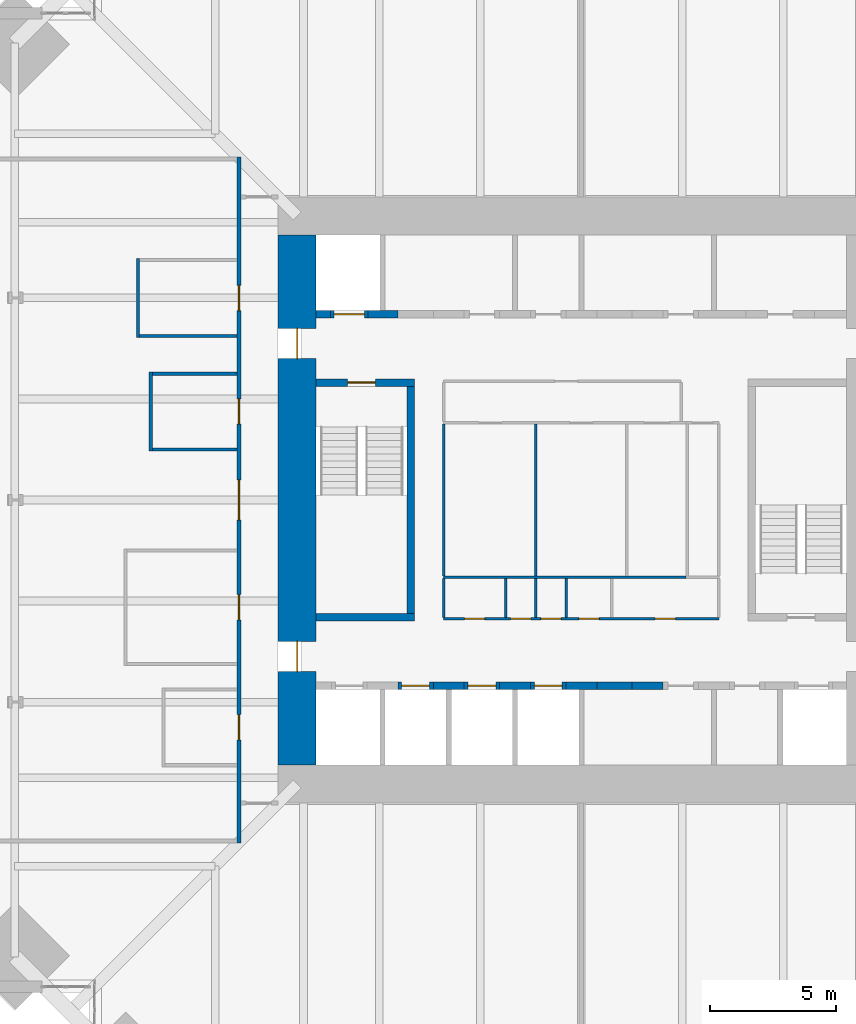
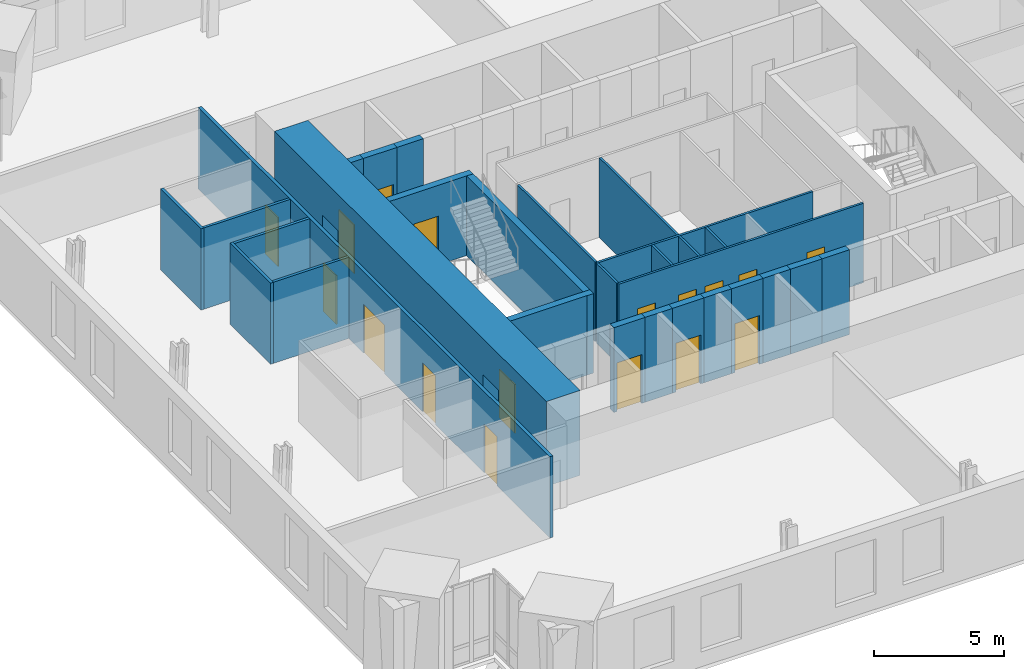
# One storey, part 11 of 15: 29 walls, 17 doors, 17 openings.
"""IFC4 building model written with IfcOpenShell, lengths in metres."""

from ifc_helpers import new_model, si_unit, direction, frame, frame_2d, origin, place, context, subcontext, project, spatial, rectangle, extrude, material, layer, layer_set, type_object, element, fill, save


model = new_model("IFC4")

# Units and contexts
model_context = context("Model", 3, precision=1e-05, world=origin(), true_north=direction((0.0, 1.0)))
body_context = subcontext(model_context, "Body", "Model", "MODEL_VIEW")
ifc_project = project(units=[si_unit("LENGTHUNIT", "METRE"), si_unit("AREAUNIT", "SQUARE_METRE"), si_unit("VOLUMEUNIT", "CUBIC_METRE"), si_unit("PLANEANGLEUNIT", "RADIAN"), si_unit("MASSUNIT", "GRAM", prefix="KILO")], contexts=[model_context])

# Site, building, storey
site_placement = place(None, origin())
site = spatial("IfcSite", under=ifc_project, at=site_placement, CompositionType="ELEMENT")
building_placement = place(site_placement, origin())
building = spatial("IfcBuilding", under=site, at=building_placement, Name="Peilmerk Tower", CompositionType="ELEMENT")
storey_placement = place(building_placement, frame((0.0, 0.0, 209.800048828125)))
storey = spatial("IfcBuildingStorey", under=building, at=storey_placement, Name="L45", CompositionType="ELEMENT", Elevation=209.800048828125)

# Wall, openings, doors
ifc_material_1 = material(Name="Calcium silicate block", Category="masonry")
ifc_layer_1 = layer(ifc_material_1, 0.14990234375)
ifc_layer_set_1 = layer_set([ifc_layer_1], Name="Calcium silicate block")
wall_type_1 = type_object("IfcWallType", Name="IW1 150 corridor partition, EI 60", PredefinedType="PARTITIONING", material=ifc_layer_set_1)
wall_1_placement = place(storey_placement, frame((-13.550048828125, 13.574951171875, 0.0), z_axis=(0.0, 0.0, 1.0), x_axis=(0.0, -1.0, 0.0)))
wall_1 = element("IfcWall", 1, at=wall_1_placement, inside=storey, type_object=wall_type_1, Name="Corridor wall W L45", PredefinedType="PARTITIONING", context=body_context, shape_type="SweptSolid", body=[
    extrude(rectangle(XDim=27.14990234375, YDim=0.14990234375, at=frame_2d((13.574951171875, 0.0))), origin(), (0.0, 0.0, 1.0), 3.829833984375),
])
opening_1_placement = place(wall_1_placement, frame((12.77490234375, 0.0, 0.0)))
opening_1 = element("IfcOpeningElement", 2, at=opening_1_placement, cuts=wall_1, Name="Opening D9", PredefinedType="OPENING", context=body_context, shape_type="SweptSolid", body=[
    extrude(rectangle(XDim=1.60009765625, YDim=2.300048828125, at=frame_2d((0.800048828125, 1.14990234375))), frame((0.0, 0.0849609375, 0.0), z_axis=(0.0, -1.0, 0.0), x_axis=(1.0, 0.0, 0.0)), (0.0, 0.0, 1.0), 0.169921875),
])
opening_2_placement = place(wall_1_placement, frame((17.324951171875, 0.0, 0.0)))
opening_2 = element("IfcOpeningElement", 3, at=opening_2_placement, cuts=wall_1, Name="Opening D1", PredefinedType="OPENING", context=body_context, shape_type="SweptSolid", body=[
    extrude(rectangle(XDim=1.0, YDim=2.300048828125, at=frame_2d((0.5, 1.14990234375))), frame((0.0, 0.0849609375, 0.0), z_axis=(0.0, -1.0, 0.0), x_axis=(1.0, 0.0, 0.0)), (0.0, 0.0, 1.0), 0.169921875),
])
opening_3_placement = place(wall_1_placement, frame((9.574951171875, 0.0, 0.0)))
opening_3 = element("IfcOpeningElement", 4, at=opening_3_placement, cuts=wall_1, Name="Opening D1", PredefinedType="OPENING", context=body_context, shape_type="SweptSolid", body=[
    extrude(rectangle(XDim=1.0, YDim=2.300048828125, at=frame_2d((0.5, 1.14990234375))), frame((0.0, 0.0849609375, 0.0), z_axis=(0.0, -1.0, 0.0), x_axis=(1.0, 0.0, 0.0)), (0.0, 0.0, 1.0), 0.169921875),
])
opening_4_placement = place(wall_1_placement, frame((5.074951171875, 0.0, 0.0)))
opening_4 = element("IfcOpeningElement", 5, at=opening_4_placement, cuts=wall_1, Name="Opening D1", PredefinedType="OPENING", context=body_context, shape_type="SweptSolid", body=[
    extrude(rectangle(XDim=1.0, YDim=2.300048828125, at=frame_2d((0.5, 1.14990234375))), frame((0.0, 0.0849609375, 0.0), z_axis=(0.0, -1.0, 0.0), x_axis=(1.0, 0.0, 0.0)), (0.0, 0.0, 1.0), 0.169921875),
])
opening_5_placement = place(wall_1_placement, frame((22.074951171875, 0.0, 0.0)))
opening_5 = element("IfcOpeningElement", 6, at=opening_5_placement, cuts=wall_1, Name="Opening D1", PredefinedType="OPENING", context=body_context, shape_type="SweptSolid", body=[
    extrude(rectangle(XDim=1.0, YDim=2.300048828125, at=frame_2d((0.5, 1.14990234375))), frame((0.0, 0.0849609375, 0.0), z_axis=(0.0, -1.0, 0.0), x_axis=(1.0, 0.0, 0.0)), (0.0, 0.0, 1.0), 0.169921875),
])
ifc_material_2 = material(Name="Timber door in steel frame", Category="steel")
door_type_1 = type_object("IfcDoorType", Name="D1 1000x2300 room door, EI2 30", OperationType="SINGLE_SWING_LEFT", PredefinedType="DOOR", material=ifc_material_2)
door_1_placement = place(opening_2_placement, frame((1.0, 0.0, 0.0), z_axis=(0.0, 0.0, 1.0), x_axis=(-1.0, 0.0, 0.0)))
door_1 = element("IfcDoor", 7, at=door_1_placement, inside=storey, type_object=door_type_1, Name="Door Meeting room L45", OperationType="SINGLE_SWING_LEFT", OverallHeight=2.300048828125, OverallWidth=1.0, PredefinedType="DOOR", context=body_context, shape_type="SweptSolid", body=[
    extrude(rectangle(XDim=1.0, YDim=2.300048828125, at=frame_2d((0.5, 1.14990234375))), frame((0.0, 0.02490234375, 0.0), z_axis=(0.0, -1.0, 0.0), x_axis=(1.0, 0.0, 0.0)), (0.0, 0.0, 1.0), 0.050048828125),
])
fill(opening_2, door_1)
door_2_placement = place(opening_3_placement, frame((1.0, 0.0, 0.0), z_axis=(0.0, 0.0, 1.0), x_axis=(-1.0, 0.0, 0.0)))
door_2 = element("IfcDoor", 8, at=door_2_placement, inside=storey, type_object=door_type_1, Name="Door Quiet room L45", OperationType="SINGLE_SWING_LEFT", OverallHeight=2.300048828125, OverallWidth=1.0, PredefinedType="DOOR", context=body_context, shape_type="SweptSolid", body=[
    extrude(rectangle(XDim=1.0, YDim=2.300048828125, at=frame_2d((0.5, 1.14990234375))), frame((0.0, 0.02490234375, 0.0), z_axis=(0.0, -1.0, 0.0), x_axis=(1.0, 0.0, 0.0)), (0.0, 0.0, 1.0), 0.050048828125),
])
fill(opening_3, door_2)
door_3_placement = place(opening_4_placement, frame((1.0, 0.0, 0.0), z_axis=(0.0, 0.0, 1.0), x_axis=(-1.0, 0.0, 0.0)))
door_3 = element("IfcDoor", 9, at=door_3_placement, inside=storey, type_object=door_type_1, Name="Door Pantry L45", OperationType="SINGLE_SWING_LEFT", OverallHeight=2.300048828125, OverallWidth=1.0, PredefinedType="DOOR", context=body_context, shape_type="SweptSolid", body=[
    extrude(rectangle(XDim=1.0, YDim=2.300048828125, at=frame_2d((0.5, 1.14990234375))), frame((0.0, 0.02490234375, 0.0), z_axis=(0.0, -1.0, 0.0), x_axis=(1.0, 0.0, 0.0)), (0.0, 0.0, 1.0), 0.050048828125),
])
fill(opening_4, door_3)
door_4_placement = place(opening_5_placement, frame((1.0, 0.0, 0.0), z_axis=(0.0, 0.0, 1.0), x_axis=(-1.0, 0.0, 0.0)))
door_4 = element("IfcDoor", 10, at=door_4_placement, inside=storey, type_object=door_type_1, Name="Door Quiet room L45", OperationType="SINGLE_SWING_LEFT", OverallHeight=2.300048828125, OverallWidth=1.0, PredefinedType="DOOR", context=body_context, shape_type="SweptSolid", body=[
    extrude(rectangle(XDim=1.0, YDim=2.300048828125, at=frame_2d((0.5, 1.14990234375))), frame((0.0, 0.02490234375, 0.0), z_axis=(0.0, -1.0, 0.0), x_axis=(1.0, 0.0, 0.0)), (0.0, 0.0, 1.0), 0.050048828125),
])
fill(opening_5, door_4)
ifc_material_3 = material(Name="Glazed timber door in steel frame", Category="steel")
door_type_2 = type_object("IfcDoorType", Name="D9 1600x2300 glazed double door, EI2 30", OperationType="DOUBLE_DOOR_SINGLE_SWING", PredefinedType="DOOR", material=ifc_material_3)
door_5_placement = place(opening_1_placement, frame((1.60009765625, 0.0, 0.0), z_axis=(0.0, 0.0, 1.0), x_axis=(-1.0, 0.0, 0.0)))
door_5 = element("IfcDoor", 11, at=door_5_placement, inside=storey, type_object=door_type_2, Name="Door Open workspace L45", OperationType="DOUBLE_DOOR_SINGLE_SWING", OverallHeight=2.300048828125, OverallWidth=1.60009765625, PredefinedType="DOOR", context=body_context, shape_type="SweptSolid", body=[
    extrude(rectangle(XDim=1.60009765625, YDim=2.300048828125, at=frame_2d((0.800048828125, 1.14990234375))), frame((0.0, 0.02490234375, 0.0), z_axis=(0.0, -1.0, 0.0), x_axis=(1.0, 0.0, 0.0)), (0.0, 0.0, 1.0), 0.050048828125),
])
fill(opening_1, door_5)

# Wall
ifc_material_4 = material(Name="Concrete C35/45", Category="concrete")
ifc_layer_2 = layer(ifc_material_4, 0.300048828125)
ifc_layer_set_2 = layer_set([ifc_layer_2], Name="Concrete C35/45")
wall_type_2 = type_object("IfcWallType", Name="IW3 300 concrete stair enclosure wall, EI 120", PredefinedType="SOLIDWALL", material=ifc_layer_set_2)
wall_2_placement = place(storey_placement, frame((-6.75, -4.800048828125, 0.0), z_axis=(0.0, 0.0, 1.0), x_axis=(0.0, 1.0, 0.0)))
element("IfcWall", 12, at=wall_2_placement, inside=storey, type_object=wall_type_2, Name="Stair 1 enclosure L45", PredefinedType="SOLIDWALL", context=body_context, shape_type="SweptSolid", body=[
    extrude(rectangle(XDim=9.60009765625, YDim=0.300048828125, at=frame_2d((4.800048828125, 0.0))), origin(), (0.0, 0.0, 1.0), 3.75),
])

# Wall, opening, door
wall_3_placement = place(storey_placement, frame((-10.5, 4.64990234375, 0.0), z_axis=(0.0, 0.0, 1.0), x_axis=(1.0, 0.0, 0.0)))
wall_3 = element("IfcWall", 13, at=wall_3_placement, inside=storey, type_object=wall_type_2, Name="Stair 1 enclosure L45", PredefinedType="SOLIDWALL", context=body_context, shape_type="SweptSolid", body=[
    extrude(rectangle(XDim=3.89990234375, YDim=0.300048828125, at=frame_2d((1.949951171875, 0.0))), origin(), (0.0, 0.0, 1.0), 3.75),
])
opening_6_placement = place(wall_3_placement, frame((1.25, 0.0, 0.0)))
opening_6 = element("IfcOpeningElement", 14, at=opening_6_placement, cuts=wall_3, Name="Opening D4", PredefinedType="OPENING", context=body_context, shape_type="SweptSolid", body=[
    extrude(rectangle(XDim=1.10009765625, YDim=2.300048828125, at=frame_2d((0.550048828125, 1.14990234375))), frame((0.0, 0.159912109375, 0.0), z_axis=(0.0, -1.0, 0.0), x_axis=(1.0, 0.0, 0.0)), (0.0, 0.0, 1.0), 0.320068359375),
])
ifc_material_5 = material(Name="Steel door in steel frame", Category="steel")
door_type_3 = type_object("IfcDoorType", Name="D4 1100x2300 stair door, EI2 60", OperationType="SINGLE_SWING_RIGHT", PredefinedType="DOOR", material=ifc_material_5)
door_6_placement = place(opening_6_placement, frame((1.10009765625, 0.0, 0.0), z_axis=(0.0, 0.0, 1.0), x_axis=(-1.0, 0.0, 0.0)))
door_6 = element("IfcDoor", 15, at=door_6_placement, inside=storey, type_object=door_type_3, Name="Stair 1 door L45", OperationType="SINGLE_SWING_RIGHT", OverallHeight=2.300048828125, OverallWidth=1.10009765625, PredefinedType="DOOR", context=body_context, shape_type="SweptSolid", body=[
    extrude(rectangle(XDim=1.10009765625, YDim=2.300048828125, at=frame_2d((0.550048828125, 1.14990234375))), frame((0.0, 0.02490234375, 0.0), z_axis=(0.0, -1.0, 0.0), x_axis=(1.0, 0.0, 0.0)), (0.0, 0.0, 1.0), 0.050048828125),
])
fill(opening_6, door_6)

# Walls
wall_4_placement = place(storey_placement, frame((-6.60009765625, -4.64990234375, 0.0), z_axis=(0.0, 0.0, 1.0), x_axis=(-1.0, 0.0, 0.0)))
element("IfcWall", 16, at=wall_4_placement, inside=storey, type_object=wall_type_2, Name="Stair 1 enclosure L45", PredefinedType="SOLIDWALL", context=body_context, shape_type="SweptSolid", body=[
    extrude(rectangle(XDim=3.89990234375, YDim=0.300048828125, at=frame_2d((1.949951171875, 0.0))), origin(), (0.0, 0.0, 1.0), 3.75),
])
ifc_material_6 = material(Name="Plasterboard on steel studs", Category="steel")
ifc_layer_3 = layer(ifc_material_6, 0.10009765625)
ifc_layer_set_3 = layer_set([ifc_layer_3], Name="Plasterboard on steel studs")
wall_type_3 = type_object("IfcWallType", Name="IW4 100 WC partition", PredefinedType="PARTITIONING", material=ifc_layer_set_3)
wall_5_placement = place(storey_placement, frame((4.14990234375, -3.050048828125, 0.0), z_axis=(0.0, 0.0, 1.0), x_axis=(-1.0, 0.0, 0.0)))
element("IfcWall", 17, at=wall_5_placement, inside=storey, type_object=wall_type_3, Name="WC wall L45", PredefinedType="PARTITIONING", context=body_context, shape_type="SweptSolid", body=[
    extrude(rectangle(XDim=9.599853515625, YDim=0.10009765625, at=frame_2d((4.7998046875, 0.0))), origin(), (0.0, 0.0, 1.0), 3.75),
])
for number, where, z_axis, x_axis, name in (
    (18, (-5.449951171875, -3.0, 0.0), (0.0, 0.0, 1.0), (0.0, 1.0, 0.0), "WC wall L45"),
    (19, (-1.800048828125, -3.0, 0.0), (0.0, 0.0, 1.0), (0.0, 1.0, 0.0), "WC wall L45"),
):
    element("IfcWall", number, at=place(storey_placement, frame(where, z_axis=z_axis, x_axis=x_axis)), inside=storey, type_object=wall_type_3, Name=name, PredefinedType="PARTITIONING", context=body_context, shape_type="SweptSolid", body=[
        extrude(rectangle(XDim=6.0, YDim=0.10009765625, at=frame_2d((3.0, 0.0))), origin(), (0.0, 0.0, 1.0), 3.75),
    ])

# Wall, openings, doors
ifc_material_7 = material(Name="Calcium silicate board on steel studs", Category="steel")
ifc_layer_4 = layer(ifc_material_7, 0.10009765625)
ifc_layer_set_4 = layer_set([ifc_layer_4], Name="Calcium silicate board on steel studs")
wall_type_4 = type_object("IfcWallType", Name="IW5 100 riser enclosure wall, EI 60", PredefinedType="PARTITIONING", material=ifc_layer_set_4)
wall_6_placement = place(storey_placement, frame((5.449951171875, -4.699951171875, 0.0), z_axis=(0.0, 0.0, 1.0), x_axis=(-1.0, 0.0, 0.0)))
wall_6 = element("IfcWall", 20, at=wall_6_placement, inside=storey, type_object=wall_type_4, Name="Riser wall L45", PredefinedType="PARTITIONING", context=body_context, shape_type="SweptSolid", body=[
    extrude(rectangle(XDim=10.89990234375, YDim=0.10009765625, at=frame_2d((5.449951171875, 0.0))), origin(), (0.0, 0.0, 1.0), 3.75),
])
opening_7_placement = place(wall_6_placement, frame((9.27490234375, 0.0, 0.0)))
opening_7 = element("IfcOpeningElement", 21, at=opening_7_placement, cuts=wall_6, Name="Opening D7", PredefinedType="OPENING", context=body_context, shape_type="SweptSolid", body=[
    extrude(rectangle(XDim=0.800048828125, YDim=2.300048828125, at=frame_2d((0.39990234375, 1.14990234375))), frame((0.0, 0.06005859375, 0.0), z_axis=(0.0, -1.0, 0.0), x_axis=(1.0, 0.0, 0.0)), (0.0, 0.0, 1.0), 0.1201171875),
])
opening_8_placement = place(wall_6_placement, frame((7.449951171875, 0.0, 0.0)))
opening_8 = element("IfcOpeningElement", 22, at=opening_8_placement, cuts=wall_6, Name="Opening D7", PredefinedType="OPENING", context=body_context, shape_type="SweptSolid", body=[
    extrude(rectangle(XDim=0.800048828125, YDim=2.300048828125, at=frame_2d((0.39990234375, 1.14990234375))), frame((0.0, 0.06005859375, 0.0), z_axis=(0.0, -1.0, 0.0), x_axis=(1.0, 0.0, 0.0)), (0.0, 0.0, 1.0), 0.1201171875),
])
opening_9_placement = place(wall_6_placement, frame((6.25, 0.0, 0.0)))
opening_9 = element("IfcOpeningElement", 23, at=opening_9_placement, cuts=wall_6, Name="Opening D7", PredefinedType="OPENING", context=body_context, shape_type="SweptSolid", body=[
    extrude(rectangle(XDim=0.800048828125, YDim=2.300048828125, at=frame_2d((0.39990234375, 1.14990234375))), frame((0.0, 0.06005859375, 0.0), z_axis=(0.0, -1.0, 0.0), x_axis=(1.0, 0.0, 0.0)), (0.0, 0.0, 1.0), 0.1201171875),
])
opening_10_placement = place(wall_6_placement, frame((4.75, 0.0, 0.0)))
opening_10 = element("IfcOpeningElement", 24, at=opening_10_placement, cuts=wall_6, Name="Opening D7", PredefinedType="OPENING", context=body_context, shape_type="SweptSolid", body=[
    extrude(rectangle(XDim=0.800048828125, YDim=2.300048828125, at=frame_2d((0.39990234375, 1.14990234375))), frame((0.0, 0.06005859375, 0.0), z_axis=(0.0, -1.0, 0.0), x_axis=(1.0, 0.0, 0.0)), (0.0, 0.0, 1.0), 0.1201171875),
])
opening_11_placement = place(wall_6_placement, frame((1.72509765625, 0.0, 0.0)))
opening_11 = element("IfcOpeningElement", 25, at=opening_11_placement, cuts=wall_6, Name="Opening D7", PredefinedType="OPENING", context=body_context, shape_type="SweptSolid", body=[
    extrude(rectangle(XDim=0.800048828125, YDim=2.300048828125, at=frame_2d((0.39990234375, 1.14990234375))), frame((0.0, 0.06005859375, 0.0), z_axis=(0.0, -1.0, 0.0), x_axis=(1.0, 0.0, 0.0)), (0.0, 0.0, 1.0), 0.1201171875),
])
door_type_4 = type_object("IfcDoorType", Name="D7 800x2300 riser access door, EI2 60", OperationType="SINGLE_SWING_RIGHT", PredefinedType="DOOR", material=ifc_material_5)
door_7_placement = place(opening_7_placement, frame((0.800048828125, 0.0, 0.0), z_axis=(0.0, 0.0, 1.0), x_axis=(-1.0, 0.0, 0.0)))
door_7 = element("IfcDoor", 26, at=door_7_placement, inside=storey, type_object=door_type_4, Name="Electrical room door L45", OperationType="SINGLE_SWING_RIGHT", OverallHeight=2.300048828125, OverallWidth=0.800048828125, PredefinedType="DOOR", context=body_context, shape_type="SweptSolid", body=[
    extrude(rectangle(XDim=0.800048828125, YDim=2.300048828125, at=frame_2d((0.39990234375, 1.14990234375))), frame((0.0, 0.02490234375, 0.0), z_axis=(0.0, -1.0, 0.0), x_axis=(1.0, 0.0, 0.0)), (0.0, 0.0, 1.0), 0.050048828125),
])
fill(opening_7, door_7)
door_8_placement = place(opening_8_placement, frame((0.800048828125, 0.0, 0.0), z_axis=(0.0, 0.0, 1.0), x_axis=(-1.0, 0.0, 0.0)))
door_8 = element("IfcDoor", 27, at=door_8_placement, inside=storey, type_object=door_type_4, Name="Electrical riser door L45", OperationType="SINGLE_SWING_RIGHT", OverallHeight=2.300048828125, OverallWidth=0.800048828125, PredefinedType="DOOR", context=body_context, shape_type="SweptSolid", body=[
    extrude(rectangle(XDim=0.800048828125, YDim=2.300048828125, at=frame_2d((0.39990234375, 1.14990234375))), frame((0.0, 0.02490234375, 0.0), z_axis=(0.0, -1.0, 0.0), x_axis=(1.0, 0.0, 0.0)), (0.0, 0.0, 1.0), 0.050048828125),
])
fill(opening_8, door_8)
door_9_placement = place(opening_9_placement, frame((0.800048828125, 0.0, 0.0), z_axis=(0.0, 0.0, 1.0), x_axis=(-1.0, 0.0, 0.0)))
door_9 = element("IfcDoor", 28, at=door_9_placement, inside=storey, type_object=door_type_4, Name="Data riser door L45", OperationType="SINGLE_SWING_RIGHT", OverallHeight=2.300048828125, OverallWidth=0.800048828125, PredefinedType="DOOR", context=body_context, shape_type="SweptSolid", body=[
    extrude(rectangle(XDim=0.800048828125, YDim=2.300048828125, at=frame_2d((0.39990234375, 1.14990234375))), frame((0.0, 0.02490234375, 0.0), z_axis=(0.0, -1.0, 0.0), x_axis=(1.0, 0.0, 0.0)), (0.0, 0.0, 1.0), 0.050048828125),
])
fill(opening_9, door_9)
door_10_placement = place(opening_10_placement, frame((0.800048828125, 0.0, 0.0), z_axis=(0.0, 0.0, 1.0), x_axis=(-1.0, 0.0, 0.0)))
door_10 = element("IfcDoor", 29, at=door_10_placement, inside=storey, type_object=door_type_4, Name="Cleaner's cupboard door L45", OperationType="SINGLE_SWING_RIGHT", OverallHeight=2.300048828125, OverallWidth=0.800048828125, PredefinedType="DOOR", context=body_context, shape_type="SweptSolid", body=[
    extrude(rectangle(XDim=0.800048828125, YDim=2.300048828125, at=frame_2d((0.39990234375, 1.14990234375))), frame((0.0, 0.02490234375, 0.0), z_axis=(0.0, -1.0, 0.0), x_axis=(1.0, 0.0, 0.0)), (0.0, 0.0, 1.0), 0.050048828125),
])
fill(opening_10, door_10)
door_11_placement = place(opening_11_placement, frame((0.800048828125, 0.0, 0.0), z_axis=(0.0, 0.0, 1.0), x_axis=(-1.0, 0.0, 0.0)))
door_11 = element("IfcDoor", 30, at=door_11_placement, inside=storey, type_object=door_type_4, Name="Comms room door L45", OperationType="SINGLE_SWING_RIGHT", OverallHeight=2.300048828125, OverallWidth=0.800048828125, PredefinedType="DOOR", context=body_context, shape_type="SweptSolid", body=[
    extrude(rectangle(XDim=0.800048828125, YDim=2.300048828125, at=frame_2d((0.39990234375, 1.14990234375))), frame((0.0, 0.02490234375, 0.0), z_axis=(0.0, -1.0, 0.0), x_axis=(1.0, 0.0, 0.0)), (0.0, 0.0, 1.0), 0.050048828125),
])
fill(opening_11, door_11)

# Walls
for number, where, z_axis, x_axis, name in (
    (31, (-5.449951171875, -3.10009765625, 0.0), (0.0, 0.0, 1.0), (0.0, -1.0, 0.0), "Riser wall L45"),
    (32, (-3.0, -3.10009765625, 0.0), (0.0, 0.0, 1.0), (0.0, -1.0, 0.0), "Riser wall L45"),
    (33, (-1.800048828125, -3.10009765625, 0.0), (0.0, 0.0, 1.0), (0.0, -1.0, 0.0), "Riser wall L45"),
    (34, (-0.60009765625, -3.10009765625, 0.0), (0.0, 0.0, 1.0), (0.0, -1.0, 0.0), "Riser wall L45"),
):
    element("IfcWall", number, at=place(storey_placement, frame(where, z_axis=z_axis, x_axis=x_axis)), inside=storey, type_object=wall_type_4, Name=name, PredefinedType="PARTITIONING", context=body_context, shape_type="SweptSolid", body=[
        extrude(rectangle(XDim=1.5498046875, YDim=0.10009765625, at=frame_2d((0.77490234375, 0.0))), origin(), (0.0, 0.0, 1.0), 3.75),
    ])
ifc_material_8 = material(Name="Plasterboard on steel studs, double boarded with mineral wool", Category="steel")
ifc_layer_5 = layer(ifc_material_8, 0.125)
ifc_layer_set_5 = layer_set([ifc_layer_5], Name="Plasterboard on steel studs, double boarded with mineral wool")
wall_type_5 = type_object("IfcWallType", Name="IW7 125 acoustic partition, EI 30", PredefinedType="PARTITIONING", material=ifc_layer_set_5)
wall_7_placement = place(storey_placement, frame((-17.050048828125, 1.9375, 0.0), z_axis=(0.0, 0.0, 1.0), x_axis=(0.0, 1.0, 0.0)))
element("IfcWall", 35, at=wall_7_placement, inside=storey, type_object=wall_type_5, Name="Acoustic partition Quiet room L45", PredefinedType="PARTITIONING", context=body_context, shape_type="SweptSolid", body=[
    extrude(rectangle(XDim=3.125, YDim=0.125, at=frame_2d((1.5625, 0.0))), origin(), (0.0, 0.0, 1.0), 3.829833984375),
])
for number, where, z_axis, x_axis, name in (
    (36, (-13.625, 2.0, 0.0), (0.0, 0.0, 1.0), (-1.0, 0.0, 0.0), "Acoustic partition Quiet room L45"),
    (37, (-13.625, 5.0, 0.0), (0.0, 0.0, 1.0), (-1.0, 0.0, 0.0), "Acoustic partition Quiet room L45"),
):
    element("IfcWall", number, at=place(storey_placement, frame(where, z_axis=z_axis, x_axis=x_axis)), inside=storey, type_object=wall_type_5, Name=name, PredefinedType="PARTITIONING", context=body_context, shape_type="SweptSolid", body=[
        extrude(rectangle(XDim=3.362548828125, YDim=0.125, at=frame_2d((1.68115234375, 0.0))), origin(), (0.0, 0.0, 1.0), 3.829833984375),
    ])
wall_8_placement = place(storey_placement, frame((-17.550048828125, 6.4375, 0.0), z_axis=(0.0, 0.0, 1.0), x_axis=(0.0, 1.0, 0.0)))
element("IfcWall", 38, at=wall_8_placement, inside=storey, type_object=wall_type_5, Name="Acoustic partition Pantry L45", PredefinedType="PARTITIONING", context=body_context, shape_type="SweptSolid", body=[
    extrude(rectangle(XDim=3.125, YDim=0.125, at=frame_2d((1.5625, 0.0))), origin(), (0.0, 0.0, 1.0), 3.829833984375),
])
wall_9_placement = place(storey_placement, frame((-13.625, 6.5, 0.0), z_axis=(0.0, 0.0, 1.0), x_axis=(-1.0, 0.0, 0.0)))
element("IfcWall", 39, at=wall_9_placement, inside=storey, type_object=wall_type_5, Name="Acoustic partition Pantry L45", PredefinedType="PARTITIONING", context=body_context, shape_type="SweptSolid", body=[
    extrude(rectangle(XDim=3.862548828125, YDim=0.125, at=frame_2d((1.93115234375, 0.0))), origin(), (0.0, 0.0, 1.0), 3.829833984375),
])

# Wall, opening, door
ifc_layer_6 = layer(ifc_material_1, 0.300048828125)
ifc_layer_set_6 = layer_set([ifc_layer_6], Name="Calcium silicate block")
wall_type_6 = type_object("IfcWallType", Name="SH2 300 lift landing door panel, EI 120", PredefinedType="PARTITIONING", material=ifc_layer_set_6)
wall_10_placement = place(storey_placement, frame((-9.9375, 7.35009765625, 0.0), z_axis=(0.0, 0.0, 1.0), x_axis=(1.0, 0.0, 0.0)))
wall_10 = element("IfcWall", 40, at=wall_10_placement, inside=storey, type_object=wall_type_6, Name="Lift door panel N FL1 L45", PredefinedType="PARTITIONING", context=body_context, shape_type="SweptSolid", body=[
    extrude(rectangle(XDim=1.5, YDim=0.300048828125, at=frame_2d((0.75, 0.0))), origin(), (0.0, 0.0, 1.0), 4.0),
])
opening_12_placement = place(wall_10_placement, frame((0.14990234375, 0.0, 0.0)))
opening_12 = element("IfcOpeningElement", 41, at=opening_12_placement, cuts=wall_10, Name="Opening LD2", PredefinedType="OPENING", context=body_context, shape_type="SweptSolid", body=[
    extrude(rectangle(XDim=1.199951171875, YDim=2.300048828125, at=frame_2d((0.60009765625, 1.14990234375))), frame((0.0, 0.159912109375, 0.0), z_axis=(0.0, -1.0, 0.0), x_axis=(1.0, 0.0, 0.0)), (0.0, 0.0, 1.0), 0.320068359375),
])
ifc_material_9 = material(Name="Stainless steel landing door", Category="steel")
door_type_5 = type_object("IfcDoorType", Name="LD2 1200x2300 lift landing door, sliding, EI2 60", OperationType="SLIDING_TO_LEFT", PredefinedType="DOOR", material=ifc_material_9)
door_12_placement = place(opening_12_placement, frame((1.199951171875, 0.0, 0.0), z_axis=(0.0, 0.0, 1.0), x_axis=(-1.0, 0.0, 0.0)))
door_12 = element("IfcDoor", 42, at=door_12_placement, inside=storey, type_object=door_type_5, Name="Lift landing door FL1 L45", OperationType="SLIDING_TO_LEFT", OverallHeight=2.300048828125, OverallWidth=1.199951171875, PredefinedType="DOOR", context=body_context, shape_type="SweptSolid", body=[
    extrude(rectangle(XDim=1.199951171875, YDim=2.300048828125, at=frame_2d((0.60009765625, 1.14990234375))), frame((0.0, 0.02490234375, 0.0), z_axis=(0.0, -1.0, 0.0), x_axis=(1.0, 0.0, 0.0)), (0.0, 0.0, 1.0), 0.050048828125),
])
fill(opening_12, door_12)

wall_11_placement = place(storey_placement, frame((-7.262451171875, -7.35009765625, 0.0), z_axis=(0.0, 0.0, 1.0), x_axis=(1.0, 0.0, 0.0)))
wall_11 = element("IfcWall", 43, at=wall_11_placement, inside=storey, type_object=wall_type_6, Name="Lift door panel S C3 L45", PredefinedType="PARTITIONING", context=body_context, shape_type="SweptSolid", body=[
    extrude(rectangle(XDim=1.39990234375, YDim=0.300048828125, at=frame_2d((0.699951171875, 0.0))), origin(), (0.0, 0.0, 1.0), 4.0),
])
opening_13_placement = place(wall_11_placement, frame((0.14990234375, 0.0, 0.0)))
opening_13 = element("IfcOpeningElement", 44, at=opening_13_placement, cuts=wall_11, Name="Opening LD1", PredefinedType="OPENING", context=body_context, shape_type="SweptSolid", body=[
    extrude(rectangle(XDim=1.10009765625, YDim=2.300048828125, at=frame_2d((0.550048828125, 1.14990234375))), frame((0.0, 0.159912109375, 0.0), z_axis=(0.0, -1.0, 0.0), x_axis=(1.0, 0.0, 0.0)), (0.0, 0.0, 1.0), 0.320068359375),
])
door_type_6 = type_object("IfcDoorType", Name="LD1 1100x2300 lift landing door, sliding, EI2 60", OperationType="SLIDING_TO_LEFT", PredefinedType="DOOR", material=ifc_material_9)
door_13_placement = place(opening_13_placement, origin())
door_13 = element("IfcDoor", 45, at=door_13_placement, inside=storey, type_object=door_type_6, Name="Lift landing door C3 L45", OperationType="SLIDING_TO_LEFT", OverallHeight=2.300048828125, OverallWidth=1.10009765625, PredefinedType="DOOR", context=body_context, shape_type="SweptSolid", body=[
    extrude(rectangle(XDim=1.10009765625, YDim=2.300048828125, at=frame_2d((0.550048828125, 1.14990234375))), frame((0.0, 0.02490234375, 0.0), z_axis=(0.0, -1.0, 0.0), x_axis=(1.0, 0.0, 0.0)), (0.0, 0.0, 1.0), 0.050048828125),
])
fill(opening_13, door_13)

wall_12_placement = place(storey_placement, frame((-4.637451171875, -7.35009765625, 0.0), z_axis=(0.0, 0.0, 1.0), x_axis=(1.0, 0.0, 0.0)))
wall_12 = element("IfcWall", 46, at=wall_12_placement, inside=storey, type_object=wall_type_6, Name="Lift door panel S C2 L45", PredefinedType="PARTITIONING", context=body_context, shape_type="SweptSolid", body=[
    extrude(rectangle(XDim=1.39990234375, YDim=0.300048828125, at=frame_2d((0.699951171875, 0.0))), origin(), (0.0, 0.0, 1.0), 4.0),
])
opening_14_placement = place(wall_12_placement, frame((0.14990234375, 0.0, 0.0)))
opening_14 = element("IfcOpeningElement", 47, at=opening_14_placement, cuts=wall_12, Name="Opening LD1", PredefinedType="OPENING", context=body_context, shape_type="SweptSolid", body=[
    extrude(rectangle(XDim=1.10009765625, YDim=2.300048828125, at=frame_2d((0.550048828125, 1.14990234375))), frame((0.0, 0.159912109375, 0.0), z_axis=(0.0, -1.0, 0.0), x_axis=(1.0, 0.0, 0.0)), (0.0, 0.0, 1.0), 0.320068359375),
])
door_14_placement = place(opening_14_placement, origin())
door_14 = element("IfcDoor", 48, at=door_14_placement, inside=storey, type_object=door_type_6, Name="Lift landing door C2 L45", OperationType="SLIDING_TO_LEFT", OverallHeight=2.300048828125, OverallWidth=1.10009765625, PredefinedType="DOOR", context=body_context, shape_type="SweptSolid", body=[
    extrude(rectangle(XDim=1.10009765625, YDim=2.300048828125, at=frame_2d((0.550048828125, 1.14990234375))), frame((0.0, 0.02490234375, 0.0), z_axis=(0.0, -1.0, 0.0), x_axis=(1.0, 0.0, 0.0)), (0.0, 0.0, 1.0), 0.050048828125),
])
fill(opening_14, door_14)

wall_13_placement = place(storey_placement, frame((-2.012451171875, -7.35009765625, 0.0), z_axis=(0.0, 0.0, 1.0), x_axis=(1.0, 0.0, 0.0)))
wall_13 = element("IfcWall", 49, at=wall_13_placement, inside=storey, type_object=wall_type_6, Name="Lift door panel S C1 L45", PredefinedType="PARTITIONING", context=body_context, shape_type="SweptSolid", body=[
    extrude(rectangle(XDim=1.39990234375, YDim=0.300048828125, at=frame_2d((0.699951171875, 0.0))), origin(), (0.0, 0.0, 1.0), 4.0),
])
opening_15_placement = place(wall_13_placement, frame((0.14990234375, 0.0, 0.0)))
opening_15 = element("IfcOpeningElement", 50, at=opening_15_placement, cuts=wall_13, Name="Opening LD1", PredefinedType="OPENING", context=body_context, shape_type="SweptSolid", body=[
    extrude(rectangle(XDim=1.10009765625, YDim=2.300048828125, at=frame_2d((0.550048828125, 1.14990234375))), frame((0.0, 0.159912109375, 0.0), z_axis=(0.0, -1.0, 0.0), x_axis=(1.0, 0.0, 0.0)), (0.0, 0.0, 1.0), 0.320068359375),
])
door_15_placement = place(opening_15_placement, origin())
door_15 = element("IfcDoor", 51, at=door_15_placement, inside=storey, type_object=door_type_6, Name="Lift landing door C1 L45", OperationType="SLIDING_TO_LEFT", OverallHeight=2.300048828125, OverallWidth=1.10009765625, PredefinedType="DOOR", context=body_context, shape_type="SweptSolid", body=[
    extrude(rectangle(XDim=1.10009765625, YDim=2.300048828125, at=frame_2d((0.550048828125, 1.14990234375))), frame((0.0, 0.02490234375, 0.0), z_axis=(0.0, -1.0, 0.0), x_axis=(1.0, 0.0, 0.0)), (0.0, 0.0, 1.0), 0.050048828125),
])
fill(opening_15, door_15)

# Wall
wall_14_placement = place(storey_placement, frame((0.612548828125, -7.35009765625, 0.0), z_axis=(0.0, 0.0, 1.0), x_axis=(1.0, 0.0, 0.0)))
element("IfcWall", 52, at=wall_14_placement, inside=storey, type_object=wall_type_6, Name="Lift door panel S B3 L45", PredefinedType="PARTITIONING", context=body_context, shape_type="SweptSolid", body=[
    extrude(rectangle(XDim=1.39990234375, YDim=0.300048828125, at=frame_2d((0.699951171875, 0.0))), origin(), (0.0, 0.0, 1.0), 4.0),
])

# Wall, openings, doors
ifc_material_10 = material(Name="Concrete C55/67", Category="concrete")
ifc_layer_7 = layer(ifc_material_10, 1.5)
ifc_layer_set_7 = layer_set([ifc_layer_7], Name="Concrete C55/67")
wall_type_7 = type_object("IfcWallType", Name="SW1 1500 core wall", PredefinedType="SHEAR", material=ifc_layer_set_7)
wall_15_placement = place(storey_placement, frame((-11.25, -10.5, 0.0), z_axis=(0.0, 0.0, 1.0), x_axis=(0.0, 1.0, 0.0)))
wall_15 = element("IfcWall", 53, at=wall_15_placement, inside=storey, type_object=wall_type_7, Name="Core wall W L45", PredefinedType="SHEAR", context=body_context, shape_type="SweptSolid", body=[
    extrude(rectangle(XDim=21.0, YDim=1.5, at=frame_2d((10.5, 0.0))), origin(), (0.0, 0.0, 1.0), 4.0),
])
opening_16_placement = place(wall_15_placement, frame((16.10009765625, 0.0, 0.0)))
opening_16 = element("IfcOpeningElement", 54, at=opening_16_placement, cuts=wall_15, Name="Opening D3", PredefinedType="OPENING", context=body_context, shape_type="SweptSolid", body=[
    extrude(rectangle(XDim=1.199951171875, YDim=2.300048828125, at=frame_2d((0.60009765625, 1.14990234375))), frame((0.0, 0.760009765625, 0.0), z_axis=(0.0, -1.0, 0.0), x_axis=(1.0, 0.0, 0.0)), (0.0, 0.0, 1.0), 1.52001953125),
])
opening_17_placement = place(wall_15_placement, frame((3.699951171875, 0.0, 0.0)))
opening_17 = element("IfcOpeningElement", 55, at=opening_17_placement, cuts=wall_15, Name="Opening D3", PredefinedType="OPENING", context=body_context, shape_type="SweptSolid", body=[
    extrude(rectangle(XDim=1.199951171875, YDim=2.300048828125, at=frame_2d((0.60009765625, 1.14990234375))), frame((0.0, 0.760009765625, 0.0), z_axis=(0.0, -1.0, 0.0), x_axis=(1.0, 0.0, 0.0)), (0.0, 0.0, 1.0), 1.52001953125),
])
door_type_7 = type_object("IfcDoorType", Name="D3 1200x2300 core door, EI2 60", OperationType="SINGLE_SWING_LEFT", PredefinedType="DOOR", material=ifc_material_5)
door_16_placement = place(opening_16_placement, frame((1.199951171875, 0.0, 0.0), z_axis=(0.0, 0.0, 1.0), x_axis=(-1.0, 0.0, 0.0)))
door_16 = element("IfcDoor", 56, at=door_16_placement, inside=storey, type_object=door_type_7, Name="Core door L45", OperationType="SINGLE_SWING_LEFT", OverallHeight=2.300048828125, OverallWidth=1.199951171875, PredefinedType="DOOR", context=body_context, shape_type="SweptSolid", body=[
    extrude(rectangle(XDim=1.199951171875, YDim=2.300048828125, at=frame_2d((0.60009765625, 1.14990234375))), frame((0.0, 0.02490234375, 0.0), z_axis=(0.0, -1.0, 0.0), x_axis=(1.0, 0.0, 0.0)), (0.0, 0.0, 1.0), 0.050048828125),
])
fill(opening_16, door_16)
door_17_placement = place(opening_17_placement, frame((1.199951171875, 0.0, 0.0), z_axis=(0.0, 0.0, 1.0), x_axis=(-1.0, 0.0, 0.0)))
door_17 = element("IfcDoor", 57, at=door_17_placement, inside=storey, type_object=door_type_7, Name="Core door L45", OperationType="SINGLE_SWING_LEFT", OverallHeight=2.300048828125, OverallWidth=1.199951171875, PredefinedType="DOOR", context=body_context, shape_type="SweptSolid", body=[
    extrude(rectangle(XDim=1.199951171875, YDim=2.300048828125, at=frame_2d((0.60009765625, 1.14990234375))), frame((0.0, 0.02490234375, 0.0), z_axis=(0.0, -1.0, 0.0), x_axis=(1.0, 0.0, 0.0)), (0.0, 0.0, 1.0), 0.050048828125),
])
fill(opening_17, door_17)

# Walls
ifc_layer_8 = layer(ifc_material_10, 0.300048828125)
ifc_layer_set_8 = layer_set([ifc_layer_8], Name="Concrete C55/67")
wall_type_8 = type_object("IfcWallType", Name="SW2 300 lift bank pier", PredefinedType="SHEAR", material=ifc_layer_set_8)
wall_16_placement = place(storey_placement, frame((-10.5, 7.35009765625, 0.0), z_axis=(0.0, 0.0, 1.0), x_axis=(1.0, 0.0, 0.0)))
element("IfcWall", 58, at=wall_16_placement, inside=storey, type_object=wall_type_8, Name="Lift bank pier N L45", PredefinedType="SHEAR", context=body_context, shape_type="SweptSolid", body=[
    extrude(rectangle(XDim=0.5625, YDim=0.300048828125, at=frame_2d((0.28125, 0.0))), origin(), (0.0, 0.0, 1.0), 4.0),
])
wall_17_placement = place(storey_placement, frame((-8.4375, 7.35009765625, 0.0), z_axis=(0.0, 0.0, 1.0), x_axis=(1.0, 0.0, 0.0)))
element("IfcWall", 59, at=wall_17_placement, inside=storey, type_object=wall_type_8, Name="Lift bank pier N L45", PredefinedType="SHEAR", context=body_context, shape_type="SweptSolid", body=[
    extrude(rectangle(XDim=1.175048828125, YDim=0.300048828125, at=frame_2d((0.58740234375, 0.0))), origin(), (0.0, 0.0, 1.0), 4.0),
])
for number, where, z_axis, x_axis, name in (
    (60, (-5.862548828125, -7.35009765625, 0.0), (0.0, 0.0, 1.0), (1.0, 0.0, 0.0), "Lift bank pier S L45"),
    (61, (-3.237548828125, -7.35009765625, 0.0), (0.0, 0.0, 1.0), (1.0, 0.0, 0.0), "Lift bank pier S L45"),
    (62, (-0.612548828125, -7.35009765625, 0.0), (0.0, 0.0, 1.0), (1.0, 0.0, 0.0), "Lift bank pier S L45"),
    (63, (2.012451171875, -7.35009765625, 0.0), (0.0, 0.0, 1.0), (1.0, 0.0, 0.0), "Lift bank pier S L45"),
):
    element("IfcWall", number, at=place(storey_placement, frame(where, z_axis=z_axis, x_axis=x_axis)), inside=storey, type_object=wall_type_8, Name=name, PredefinedType="SHEAR", context=body_context, shape_type="SweptSolid", body=[
        extrude(rectangle(XDim=1.22509765625, YDim=0.300048828125, at=frame_2d((0.612548828125, 0.0))), origin(), (0.0, 0.0, 1.0), 4.0),
    ])

save(model, "model.ifc")
